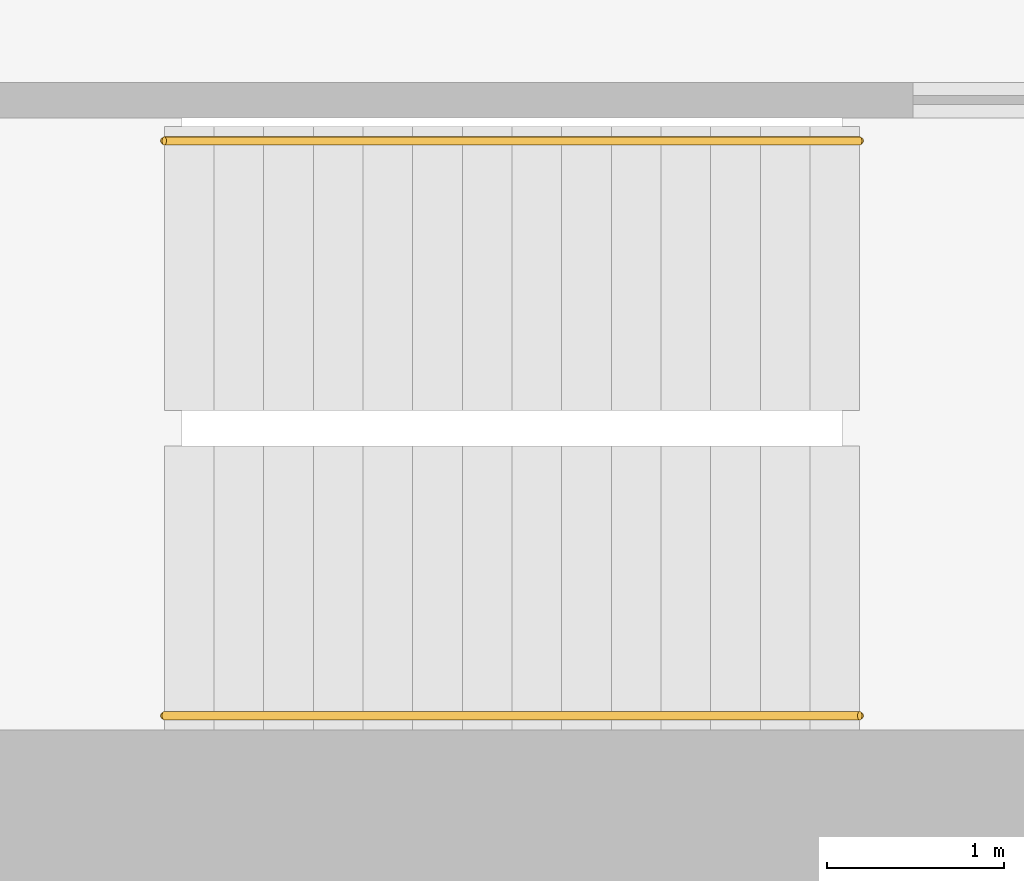
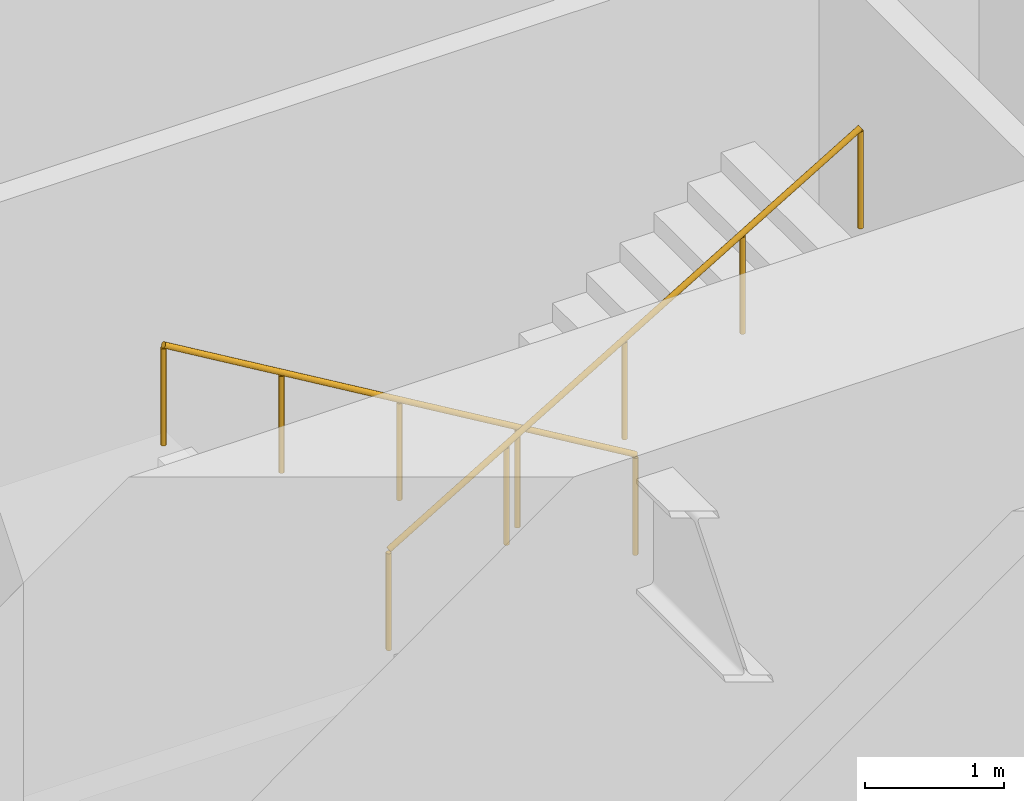
# One storey, part 12 of 15: 2 railings.
"""IFC4 building model written with IfcOpenShell, lengths in metres."""

from ifc_helpers import new_model, si_unit, direction, frame, origin, origin_2d, place, context, subcontext, project, spatial, circle, extrude, material, type_object, element, save


model = new_model("IFC4")

# Units and contexts
model_context = context("Model", 3, precision=1e-05, world=origin(), true_north=direction((0.0, 1.0)))
body_context = subcontext(model_context, "Body", "Model", "MODEL_VIEW")
ifc_project = project(units=[si_unit("LENGTHUNIT", "METRE"), si_unit("AREAUNIT", "SQUARE_METRE"), si_unit("VOLUMEUNIT", "CUBIC_METRE"), si_unit("PLANEANGLEUNIT", "RADIAN"), si_unit("MASSUNIT", "GRAM", prefix="KILO")], contexts=[model_context])

# Site, building, storey
site_placement = place(None, origin())
site = spatial("IfcSite", under=ifc_project, at=site_placement, CompositionType="ELEMENT")
building_placement = place(site_placement, origin())
building = spatial("IfcBuilding", under=site, at=building_placement, Name="Tarfa Lantern Tower", CompositionType="ELEMENT")
storey_placement = place(building_placement, frame((0.0, 0.0, 210.5)))
storey = spatial("IfcBuildingStorey", under=building, at=storey_placement, Name="L47", CompositionType="ELEMENT", Elevation=210.5)

# Railings
ifc_material = material(Name="Stainless steel", Category="steel")
railing_type = type_object("IfcRailingType", Name="HR1 HANDRAIL 900", PredefinedType="HANDRAIL", material=ifc_material)
railing_1_placement = place(storey_placement, frame((7.300048828125, -7.3798828125, 0.166748046875)))
element("IfcRailing", 1, at=railing_1_placement, inside=storey, type_object=railing_type, Name="Handrail 1", PredefinedType="HANDRAIL", context=body_context, shape_type="SweptSolid", body=[
    extrude(circle(Radius=0.02392578125, at=origin_2d()), frame((0.0, 0.0, 0.8759765625), z_axis=(-0.859310244771, 0.0, 0.511454693235), x_axis=(0.0, -1.0, 0.0)), (0.0, 0.0, 1.0), 4.56201171875),
    extrude(circle(Radius=0.02099609375, at=origin_2d()), frame((0.0, 0.0, 0.0), z_axis=(0.0, 0.0, 1.0), x_axis=(0.0, -1.0, 0.0)), (0.0, 0.0, 1.0), 0.851806640625),
    extrude(circle(Radius=0.02099609375, at=origin_2d()), frame((-0.97998046875, 0.0, 0.583251953125), z_axis=(0.0, 0.0, 1.0), x_axis=(0.0, -1.0, 0.0)), (0.0, 0.0, 1.0), 0.851806640625),
    extrude(circle(Radius=0.02099609375, at=origin_2d()), frame((-1.9599609375, 0.0, 1.16650390625), z_axis=(0.0, 0.0, 1.0), x_axis=(0.0, -1.0, 0.0)), (0.0, 0.0, 1.0), 0.851806640625),
    extrude(circle(Radius=0.02099609375, at=origin_2d()), frame((-2.940185546875, 0.0, 1.75), z_axis=(0.0, 0.0, 1.0), x_axis=(0.0, -1.0, 0.0)), (0.0, 0.0, 1.0), 0.851806640625),
    extrude(circle(Radius=0.02099609375, at=origin_2d()), frame((-3.920166015625, 0.0, 2.333251953125), z_axis=(0.0, 0.0, 1.0), x_axis=(0.0, -1.0, 0.0)), (0.0, 0.0, 1.0), 0.851806640625),
])
railing_2_placement = place(storey_placement, frame((3.3798828125, -10.6201171875, 2.666748046875)))
element("IfcRailing", 2, at=railing_2_placement, inside=storey, type_object=railing_type, Name="Handrail 2", PredefinedType="HANDRAIL", context=body_context, shape_type="SweptSolid", body=[
    extrude(circle(Radius=0.02392578125, at=origin_2d()), frame((0.0, 0.0, 0.8759765625), z_axis=(0.859310244771, 0.0, 0.511454693235), x_axis=(0.0, 1.0, 0.0)), (0.0, 0.0, 1.0), 4.56201171875),
    extrude(circle(Radius=0.02099609375, at=origin_2d()), frame((0.0, 0.0, 0.0), z_axis=(0.0, 0.0, 1.0), x_axis=(0.0, 1.0, 0.0)), (0.0, 0.0, 1.0), 0.851806640625),
    extrude(circle(Radius=0.02099609375, at=origin_2d()), frame((0.97998046875, 0.0, 0.583251953125), z_axis=(0.0, 0.0, 1.0), x_axis=(0.0, 1.0, 0.0)), (0.0, 0.0, 1.0), 0.851806640625),
    extrude(circle(Radius=0.02099609375, at=origin_2d()), frame((1.9599609375, 0.0, 1.16650390625), z_axis=(0.0, 0.0, 1.0), x_axis=(0.0, 1.0, 0.0)), (0.0, 0.0, 1.0), 0.851806640625),
    extrude(circle(Radius=0.02099609375, at=origin_2d()), frame((2.940185546875, 0.0, 1.75), z_axis=(0.0, 0.0, 1.0), x_axis=(0.0, 1.0, 0.0)), (0.0, 0.0, 1.0), 0.851806640625),
    extrude(circle(Radius=0.02099609375, at=origin_2d()), frame((3.920166015625, 0.0, 2.333251953125), z_axis=(0.0, 0.0, 1.0), x_axis=(0.0, 1.0, 0.0)), (0.0, 0.0, 1.0), 0.851806640625),
])

save(model, "model.ifc")
